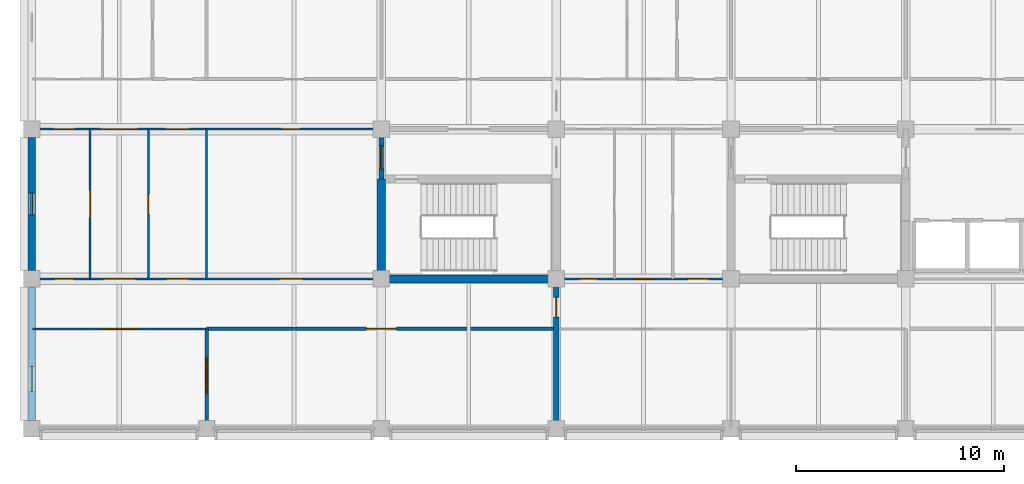
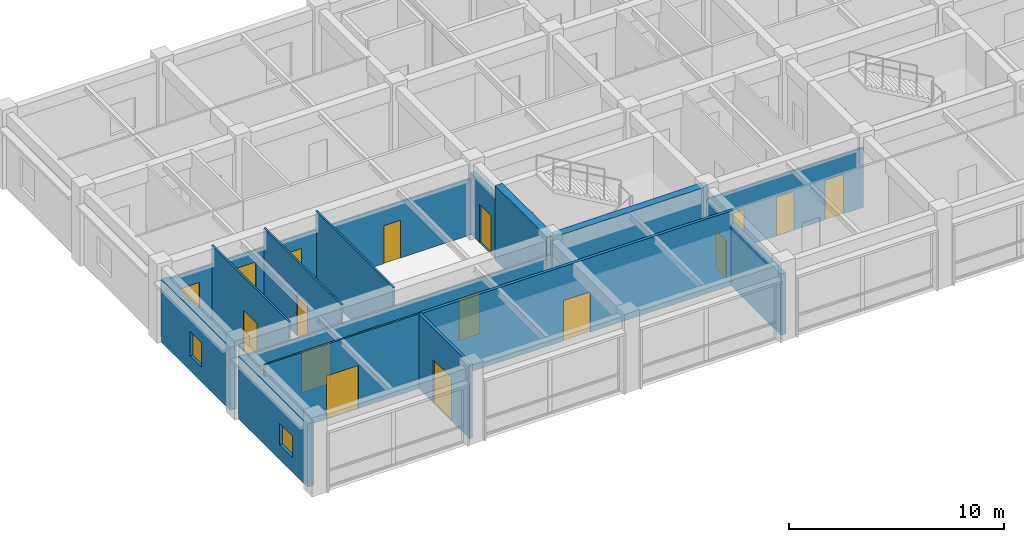
# One storey, part 14 of 30: 18 doors, 15 walls, 2 windows, 20 openings.
"""IFC4 building model written with IfcOpenShell, lengths in metres."""

from ifc_helpers import new_model, si_unit, direction, frame, frame_2d, origin, place, context, subcontext, project, spatial, rectangle, extrude, material, layer, layer_set, type_object, element, fill, save


model = new_model("IFC4")

# Units and contexts
model_context = context("Model", 3, precision=1e-05, world=origin(), true_north=direction((0.0, 1.0)))
body_context = subcontext(model_context, "Body", "Model", "MODEL_VIEW")
ifc_project = project(units=[si_unit("LENGTHUNIT", "METRE"), si_unit("AREAUNIT", "SQUARE_METRE"), si_unit("VOLUMEUNIT", "CUBIC_METRE"), si_unit("PLANEANGLEUNIT", "RADIAN"), si_unit("MASSUNIT", "GRAM", prefix="KILO")], contexts=[model_context])

# Site, building, storey
site_placement = place(None, origin())
site = spatial("IfcSite", under=ifc_project, at=site_placement, CompositionType="ELEMENT")
building_placement = place(site_placement, origin())
building = spatial("IfcBuilding", under=site, at=building_placement, Name="Chengyuan Square Courthouse", CompositionType="ELEMENT")
storey_placement = place(building_placement, frame((0.0, 0.0, 26.10009765625)))
storey = spatial("IfcBuildingStorey", under=building, at=storey_placement, Name="L06", CompositionType="ELEMENT", Elevation=26.10009765625)

# Wall, opening, window
ifc_material_1 = material(Name="Concrete C40", Category="concrete")
ifc_layer_1 = layer(ifc_material_1, 0.35009765625)
ifc_layer_set_1 = layer_set([ifc_layer_1], Name="Concrete C40")
wall_type_1 = type_object("IfcWallType", Name="WL-EW2", PredefinedType="STANDARD", material=ifc_layer_set_1)
wall_1_placement = place(storey_placement, frame((25.199951171875, 79.594970703125, 0.0), z_axis=(0.0, 0.0, 1.0), x_axis=(0.0, 1.0, 0.0)))
wall_1 = element("IfcWall", 1, at=wall_1_placement, inside=storey, type_object=wall_type_1, Name="Exterior Wall WL-L06-E357", PredefinedType="STANDARD", context=body_context, shape_type="SweptSolid", body=[
    extrude(rectangle(XDim=6.409912109375, YDim=0.35009765625, at=frame_2d((3.205078125, 0.0))), origin(), (0.0, 0.0, 1.0), 3.58984375),
])
opening_1_placement = place(wall_1_placement, frame((1.405029296875, 0.0, 0.85009765625)))
opening_1 = element("IfcOpeningElement", 2, at=opening_1_placement, cuts=wall_1, Name="Opening WN-123", PredefinedType="OPENING", context=body_context, shape_type="SweptSolid", body=[
    extrude(rectangle(XDim=1.199951171875, YDim=1.199951171875, at=frame_2d((0.60009765625, 0.60009765625))), frame((0.0, 0.18701171875, 0.0), z_axis=(0.0, -1.0, 0.0), x_axis=(1.0, 0.0, 0.0)), (0.0, 0.0, 1.0), 0.3740234375),
])
ifc_material_2 = material(Name="Thermally Broken Aluminium Triple Low-E Window", Category="aluminium")
window_type_1 = type_object("IfcWindowType", Name="WT-13", PartitioningType="SINGLE_PANEL", PredefinedType="WINDOW", material=ifc_material_2)
window_1_placement = place(opening_1_placement, origin())
window_1 = element("IfcWindow", 3, at=window_1_placement, inside=storey, type_object=window_type_1, Name="Facade Window WN-123", OverallHeight=1.199951171875, OverallWidth=1.199951171875, PartitioningType="SINGLE_PANEL", PredefinedType="WINDOW", context=body_context, shape_type="SweptSolid", body=[
    extrude(rectangle(XDim=1.199951171875, YDim=1.199951171875, at=frame_2d((0.60009765625, 0.60009765625))), frame((0.0, 0.030029296875, 0.0), z_axis=(0.0, -1.0, 0.0), x_axis=(1.0, 0.0, 0.0)), (0.0, 0.0, 1.0), 0.06005859375),
])
fill(opening_1, window_1)

wall_2_placement = place(storey_placement, frame((25.199951171875, 86.794921875, 0.0), z_axis=(0.0, 0.0, 1.0), x_axis=(0.0, 1.0, 0.0)))
wall_2 = element("IfcWall", 4, at=wall_2_placement, inside=storey, type_object=wall_type_1, Name="Exterior Wall WL-L06-E358", PredefinedType="STANDARD", context=body_context, shape_type="SweptSolid", body=[
    extrude(rectangle(XDim=6.41015625, YDim=0.35009765625, at=frame_2d((3.205078125, 0.0))), origin(), (0.0, 0.0, 1.0), 3.58984375),
])
opening_2_placement = place(wall_2_placement, frame((2.679931640625, 0.0, 0.85009765625)))
opening_2 = element("IfcOpeningElement", 5, at=opening_2_placement, cuts=wall_2, Name="Opening WN-124", PredefinedType="OPENING", context=body_context, shape_type="SweptSolid", body=[
    extrude(rectangle(XDim=1.050048828125, YDim=1.3798828125, at=frame_2d((0.52490234375, 0.68994140625))), frame((0.0, 0.18701171875, 0.0), z_axis=(0.0, -1.0, 0.0), x_axis=(1.0, 0.0, 0.0)), (0.0, 0.0, 1.0), 0.3740234375),
])
window_type_2 = type_object("IfcWindowType", Name="WT-08", PartitioningType="SINGLE_PANEL", PredefinedType="WINDOW", material=ifc_material_2)
window_2_placement = place(opening_2_placement, origin())
window_2 = element("IfcWindow", 6, at=window_2_placement, inside=storey, type_object=window_type_2, Name="Facade Window WN-124", OverallHeight=1.3798828125, OverallWidth=1.050048828125, PartitioningType="SINGLE_PANEL", PredefinedType="WINDOW", context=body_context, shape_type="SweptSolid", body=[
    extrude(rectangle(XDim=1.050048828125, YDim=1.3798828125, at=frame_2d((0.52490234375, 0.68994140625))), frame((0.0, 0.030029296875, 0.0), z_axis=(0.0, -1.0, 0.0), x_axis=(1.0, 0.0, 0.0)), (0.0, 0.0, 1.0), 0.06005859375),
])
fill(opening_2, window_2)

# Wall, opening, door
ifc_layer_2 = layer(ifc_material_1, 0.25)
ifc_layer_set_2 = layer_set([ifc_layer_2], Name="Concrete C40")
wall_type_2 = type_object("IfcWallType", Name="WL-FW1", PredefinedType="STANDARD", material=ifc_layer_set_2)
wall_3_placement = place(storey_placement, frame((42.0, 91.199951171875, 0.0), z_axis=(0.0, 0.0, 1.0), x_axis=(0.0, 1.0, 0.0)))
wall_3 = element("IfcWall", 7, at=wall_3_placement, inside=storey, type_object=wall_type_2, Name="Interior Wall WL-L06-I2489", PredefinedType="STANDARD", context=body_context, shape_type="SweptSolid", body=[
    extrude(rectangle(XDim=2.400146484375, YDim=0.25, at=frame_2d((1.2001953125, 0.0))), origin(), (0.0, 0.0, 1.0), 3.489990234375),
])
opening_3_placement = place(wall_3_placement, frame((0.489990234375, 0.0, 0.0)))
opening_3 = element("IfcOpeningElement", 8, at=opening_3_placement, cuts=wall_3, Name="Opening DR-2130", PredefinedType="OPENING", context=body_context, shape_type="SweptSolid", body=[
    extrude(rectangle(XDim=1.10009765625, YDim=2.199951171875, at=frame_2d((0.550048828125, 1.10009765625))), frame((0.0, 0.136962890625, 0.0), z_axis=(0.0, -1.0, 0.0), x_axis=(1.0, 0.0, 0.0)), (0.0, 0.0, 1.0), 0.27392578125),
])
ifc_material_3 = material(Name="Steel Q235B Fire Door", Category="steel")
door_type_1 = type_object("IfcDoorType", Name="DT-10", OperationType="NOTDEFINED", PredefinedType="DOOR", material=ifc_material_3)
door_1_placement = place(opening_3_placement, origin())
door_1 = element("IfcDoor", 9, at=door_1_placement, inside=storey, type_object=door_type_1, Name="Interior Door DR-2130", OperationType="SINGLE_SWING_LEFT", OverallHeight=2.199951171875, OverallWidth=1.10009765625, PredefinedType="DOOR", context=body_context, shape_type="SweptSolid", body=[
    extrude(rectangle(XDim=1.10009765625, YDim=2.199951171875, at=frame_2d((0.550048828125, 1.10009765625))), frame((0.0, 0.02490234375, 0.0), z_axis=(0.0, -1.0, 0.0), x_axis=(1.0, 0.0, 0.0)), (0.0, 0.0, 1.0), 0.050048828125),
])
fill(opening_3, door_1)

wall_4_placement = place(storey_placement, frame((50.39990234375, 79.239990234375, 0.0), z_axis=(0.0, 0.0, 1.0), x_axis=(0.0, 1.0, 0.0)))
wall_4 = element("IfcWall", 10, at=wall_4_placement, inside=storey, type_object=wall_type_2, Name="Interior Wall WL-L06-I2497", PredefinedType="STANDARD", context=body_context, shape_type="SweptSolid", body=[
    extrude(rectangle(XDim=7.159912109375, YDim=0.25, at=frame_2d((3.580078125, 0.0))), origin(), (0.0, 0.0, 1.0), 3.489990234375),
])
opening_4_placement = place(wall_4_placement, frame((5.324951171875, 0.0, 0.0)))
opening_4 = element("IfcOpeningElement", 11, at=opening_4_placement, cuts=wall_4, Name="Opening DR-2288", PredefinedType="OPENING", context=body_context, shape_type="SweptSolid", body=[
    extrude(rectangle(XDim=0.949951171875, YDim=2.14990234375, at=frame_2d((0.47509765625, 1.074951171875))), frame((0.0, 0.136962890625, 0.0), z_axis=(0.0, -1.0, 0.0), x_axis=(1.0, 0.0, 0.0)), (0.0, 0.0, 1.0), 0.27392578125),
])
door_type_2 = type_object("IfcDoorType", Name="DT-12", OperationType="NOTDEFINED", PredefinedType="DOOR", material=ifc_material_3)
door_2_placement = place(opening_4_placement, origin())
door_2 = element("IfcDoor", 12, at=door_2_placement, inside=storey, type_object=door_type_2, Name="Interior Door DR-2288", OperationType="SINGLE_SWING_LEFT", OverallHeight=2.14990234375, OverallWidth=0.949951171875, PredefinedType="DOOR", context=body_context, shape_type="SweptSolid", body=[
    extrude(rectangle(XDim=0.949951171875, YDim=2.14990234375, at=frame_2d((0.47509765625, 1.074951171875))), frame((0.0, 0.02490234375, 0.0), z_axis=(0.0, -1.0, 0.0), x_axis=(1.0, 0.0, 0.0)), (0.0, 0.0, 1.0), 0.050048828125),
])
fill(opening_4, door_2)

ifc_material_4 = material(Name="Acoustic Timber-Lined Gypsum Partition", Category="wood")
ifc_layer_3 = layer(ifc_material_4, 0.159912109375)
ifc_layer_set_3 = layer_set([ifc_layer_3], Name="Acoustic Timber-Lined Gypsum Partition")
wall_type_3 = type_object("IfcWallType", Name="WL-PT2", PredefinedType="STANDARD", material=ifc_layer_set_3)
wall_5_placement = place(storey_placement, frame((33.60009765625, 84.0, 0.0), z_axis=(0.0, 0.0, 1.0), x_axis=(1.0, 0.0, 0.0)))
wall_5 = element("IfcWall", 13, at=wall_5_placement, inside=storey, type_object=wall_type_3, Name="Interior Wall WL-L06-I2360", PredefinedType="STANDARD", context=body_context, shape_type="SweptSolid", body=[
    extrude(rectangle(XDim=16.7998046875, YDim=0.159912109375, at=frame_2d((8.39990234375, 0.0))), origin(), (0.0, 0.0, 1.0), 4.239990234375),
])
opening_5_placement = place(wall_5_placement, frame((7.675048828125, 0.0, 0.0)))
opening_5 = element("IfcOpeningElement", 14, at=opening_5_placement, cuts=wall_5, Name="Opening DR-2290", PredefinedType="OPENING", context=body_context, shape_type="SweptSolid", body=[
    extrude(rectangle(XDim=1.449951171875, YDim=2.300048828125, at=frame_2d((0.72509765625, 1.14990234375))), frame((0.0, 0.092041015625, 0.0), z_axis=(0.0, -1.0, 0.0), x_axis=(1.0, 0.0, 0.0)), (0.0, 0.0, 1.0), 0.183837890625),
])
ifc_material_5 = material(Name="Acoustic Larch Veneer Double Door")
door_type_3 = type_object("IfcDoorType", Name="DT-25", OperationType="DOUBLE_DOOR_SINGLE_SWING", PredefinedType="DOOR", material=ifc_material_5)
door_3_placement = place(opening_5_placement, frame((1.449951171875, 0.0, 0.0), z_axis=(0.0, 0.0, 1.0), x_axis=(-1.0, 0.0, 0.0)))
door_3 = element("IfcDoor", 15, at=door_3_placement, inside=storey, type_object=door_type_3, Name="Interior Door DR-2290", OperationType="DOUBLE_DOOR_SINGLE_SWING", OverallHeight=2.300048828125, OverallWidth=1.449951171875, PredefinedType="DOOR", context=body_context, shape_type="SweptSolid", body=[
    extrude(rectangle(XDim=1.449951171875, YDim=2.300048828125, at=frame_2d((0.72509765625, 1.14990234375))), frame((0.0, 0.02490234375, 0.0), z_axis=(0.0, -1.0, 0.0), x_axis=(1.0, 0.0, 0.0)), (0.0, 0.0, 1.0), 0.050048828125),
])
fill(opening_5, door_3)

wall_6_placement = place(storey_placement, frame((33.60009765625, 79.239990234375, 0.0), z_axis=(0.0, 0.0, 1.0), x_axis=(0.0, 1.0, 0.0)))
wall_6 = element("IfcWall", 16, at=wall_6_placement, inside=storey, type_object=wall_type_3, Name="Interior Wall WL-L06-I2484", PredefinedType="STANDARD", context=body_context, shape_type="SweptSolid", body=[
    extrude(rectangle(XDim=4.760009765625, YDim=0.159912109375, at=frame_2d((2.3798828125, 0.0))), origin(), (0.0, 0.0, 1.0), 4.239990234375),
])
opening_6_placement = place(wall_6_placement, frame((1.669921875, 0.0, 0.0)))
opening_6 = element("IfcOpeningElement", 17, at=opening_6_placement, cuts=wall_6, Name="Opening DR-2301", PredefinedType="OPENING", context=body_context, shape_type="SweptSolid", body=[
    extrude(rectangle(XDim=1.699951171875, YDim=2.449951171875, at=frame_2d((0.85009765625, 1.22509765625))), frame((0.0, 0.092041015625, 0.0), z_axis=(0.0, -1.0, 0.0), x_axis=(1.0, 0.0, 0.0)), (0.0, 0.0, 1.0), 0.183837890625),
])
door_type_4 = type_object("IfcDoorType", Name="DT-24", OperationType="DOUBLE_DOOR_SINGLE_SWING", PredefinedType="DOOR", material=ifc_material_5)
door_4_placement = place(opening_6_placement, frame((1.699951171875, 0.0, 0.0), z_axis=(0.0, 0.0, 1.0), x_axis=(-1.0, 0.0, 0.0)))
door_4 = element("IfcDoor", 18, at=door_4_placement, inside=storey, type_object=door_type_4, Name="Interior Door DR-2301", OperationType="DOUBLE_DOOR_SINGLE_SWING", OverallHeight=2.449951171875, OverallWidth=1.699951171875, PredefinedType="DOOR", context=body_context, shape_type="SweptSolid", body=[
    extrude(rectangle(XDim=1.699951171875, YDim=2.449951171875, at=frame_2d((0.85009765625, 1.22509765625))), frame((0.0, 0.02490234375, 0.0), z_axis=(0.0, -1.0, 0.0), x_axis=(1.0, 0.0, 0.0)), (0.0, 0.0, 1.0), 0.050048828125),
])
fill(opening_6, door_4)

ifc_material_6 = material(Name="Gypsum Plasterboard Acoustic Stud Partition")
ifc_layer_4 = layer(ifc_material_6, 0.10009765625)
ifc_layer_set_4 = layer_set([ifc_layer_4], Name="Gypsum Plasterboard Acoustic Stud Partition")
wall_type_4 = type_object("IfcWallType", Name="WL-PT6", PredefinedType="STANDARD", material=ifc_layer_set_4)
wall_7_placement = place(storey_placement, frame((25.239990234375, 84.0, 0.0), z_axis=(0.0, 0.0, 1.0), x_axis=(1.0, 0.0, 0.0)))
wall_7 = element("IfcWall", 19, at=wall_7_placement, inside=storey, type_object=wall_type_4, Name="Interior Wall WL-L06-I2359", PredefinedType="STANDARD", context=body_context, shape_type="SweptSolid", body=[
    extrude(rectangle(XDim=8.360107421875, YDim=0.10009765625, at=frame_2d((4.18017578125, 0.0))), origin(), (0.0, 0.0, 1.0), 4.239990234375),
])
opening_7_placement = place(wall_7_placement, frame((3.330078125, 0.0, 0.0)))
opening_7 = element("IfcOpeningElement", 20, at=opening_7_placement, cuts=wall_7, Name="Opening DR-2289", PredefinedType="OPENING", context=body_context, shape_type="SweptSolid", body=[
    extrude(rectangle(XDim=1.699951171875, YDim=2.449951171875, at=frame_2d((0.85009765625, 1.22509765625))), frame((0.0, 0.06201171875, 0.0), z_axis=(0.0, -1.0, 0.0), x_axis=(1.0, 0.0, 0.0)), (0.0, 0.0, 1.0), 0.1240234375),
])
door_5_placement = place(opening_7_placement, frame((1.699951171875, 0.0, 0.0), z_axis=(0.0, 0.0, 1.0), x_axis=(-1.0, 0.0, 0.0)))
door_5 = element("IfcDoor", 21, at=door_5_placement, inside=storey, type_object=door_type_4, Name="Interior Door DR-2289", OperationType="DOUBLE_DOOR_SINGLE_SWING", OverallHeight=2.449951171875, OverallWidth=1.699951171875, PredefinedType="DOOR", context=body_context, shape_type="SweptSolid", body=[
    extrude(rectangle(XDim=1.699951171875, YDim=2.449951171875, at=frame_2d((0.85009765625, 1.22509765625))), frame((0.0, 0.02490234375, 0.0), z_axis=(0.0, -1.0, 0.0), x_axis=(1.0, 0.0, 0.0)), (0.0, 0.0, 1.0), 0.050048828125),
])
fill(opening_7, door_5)

# Wall, openings, doors
wall_8_placement = place(storey_placement, frame((25.239990234375, 86.39990234375, 0.0), z_axis=(0.0, 0.0, 1.0), x_axis=(1.0, 0.0, 0.0)))
wall_8 = element("IfcWall", 22, at=wall_8_placement, inside=storey, type_object=wall_type_4, Name="Interior Wall WL-L06-I2366", PredefinedType="STANDARD", context=body_context, shape_type="SweptSolid", body=[
    extrude(rectangle(XDim=16.760009765625, YDim=0.10009765625, at=frame_2d((8.3798828125, 0.0))), origin(), (0.0, 0.0, 1.0), 3.18994140625),
])
opening_8_placement = place(wall_8_placement, frame((1.050048828125, 0.0, 0.0)))
opening_8 = element("IfcOpeningElement", 23, at=opening_8_placement, cuts=wall_8, Name="Opening DR-2250", PredefinedType="OPENING", context=body_context, shape_type="SweptSolid", body=[
    extrude(rectangle(XDim=0.93994140625, YDim=2.300048828125, at=frame_2d((0.469970703125, 1.14990234375))), frame((0.0, 0.06201171875, 0.0), z_axis=(0.0, -1.0, 0.0), x_axis=(1.0, 0.0, 0.0)), (0.0, 0.0, 1.0), 0.1240234375),
])
opening_9_placement = place(wall_8_placement, frame((3.385009765625, 0.0, 0.0)))
opening_9 = element("IfcOpeningElement", 24, at=opening_9_placement, cuts=wall_8, Name="Opening DR-2252", PredefinedType="OPENING", context=body_context, shape_type="SweptSolid", body=[
    extrude(rectangle(XDim=1.550048828125, YDim=2.35009765625, at=frame_2d((0.77490234375, 1.175048828125))), frame((0.0, 0.06201171875, 0.0), z_axis=(0.0, -1.0, 0.0), x_axis=(1.0, 0.0, 0.0)), (0.0, 0.0, 1.0), 0.1240234375),
])
opening_10_placement = place(wall_8_placement, frame((6.429931640625, 0.0, 0.0)))
opening_10 = element("IfcOpeningElement", 25, at=opening_10_placement, cuts=wall_8, Name="Opening DR-2253", PredefinedType="OPENING", context=body_context, shape_type="SweptSolid", body=[
    extrude(rectangle(XDim=1.06005859375, YDim=2.39990234375, at=frame_2d((0.530029296875, 1.199951171875))), frame((0.0, 0.06201171875, 0.0), z_axis=(0.0, -1.0, 0.0), x_axis=(1.0, 0.0, 0.0)), (0.0, 0.0, 1.0), 0.1240234375),
])
opening_11_placement = place(wall_8_placement, frame((11.830078125, 0.0, 0.0)))
opening_11 = element("IfcOpeningElement", 26, at=opening_11_placement, cuts=wall_8, Name="Opening DR-2254", PredefinedType="OPENING", context=body_context, shape_type="SweptSolid", body=[
    extrude(rectangle(XDim=1.139892578125, YDim=2.39990234375, at=frame_2d((0.56982421875, 1.199951171875))), frame((0.0, 0.06201171875, 0.0), z_axis=(0.0, -1.0, 0.0), x_axis=(1.0, 0.0, 0.0)), (0.0, 0.0, 1.0), 0.1240234375),
])
door_type_5 = type_object("IfcDoorType", Name="DT-23", OperationType="DOUBLE_DOOR_SINGLE_SWING", PredefinedType="DOOR", material=ifc_material_5)
door_6_placement = place(opening_9_placement, frame((1.550048828125, 0.0, 0.0), z_axis=(0.0, 0.0, 1.0), x_axis=(-1.0, 0.0, 0.0)))
door_6 = element("IfcDoor", 27, at=door_6_placement, inside=storey, type_object=door_type_5, Name="Interior Door DR-2252", OperationType="DOUBLE_DOOR_SINGLE_SWING", OverallHeight=2.35009765625, OverallWidth=1.550048828125, PredefinedType="DOOR", context=body_context, shape_type="SweptSolid", body=[
    extrude(rectangle(XDim=1.550048828125, YDim=2.35009765625, at=frame_2d((0.77490234375, 1.175048828125))), frame((0.0, 0.02490234375, 0.0), z_axis=(0.0, -1.0, 0.0), x_axis=(1.0, 0.0, 0.0)), (0.0, 0.0, 1.0), 0.050048828125),
])
fill(opening_9, door_6)
ifc_material_7 = material(Name="Acoustic Solid-Core Timber Door", Category="wood")
door_type_6 = type_object("IfcDoorType", Name="DT-39", OperationType="NOTDEFINED", PredefinedType="DOOR", material=ifc_material_7)
door_7_placement = place(opening_8_placement, origin())
door_7 = element("IfcDoor", 28, at=door_7_placement, inside=storey, type_object=door_type_6, Name="Interior Door DR-2250", OperationType="SINGLE_SWING_RIGHT", OverallHeight=2.300048828125, OverallWidth=0.93994140625, PredefinedType="DOOR", context=body_context, shape_type="SweptSolid", body=[
    extrude(rectangle(XDim=0.93994140625, YDim=2.300048828125, at=frame_2d((0.469970703125, 1.14990234375))), frame((0.0, 0.02490234375, 0.0), z_axis=(0.0, -1.0, 0.0), x_axis=(1.0, 0.0, 0.0)), (0.0, 0.0, 1.0), 0.050048828125),
])
fill(opening_8, door_7)
door_type_7 = type_object("IfcDoorType", Name="DT-42", OperationType="NOTDEFINED", PredefinedType="DOOR", material=ifc_material_7)
door_8_placement = place(opening_10_placement, origin())
door_8 = element("IfcDoor", 29, at=door_8_placement, inside=storey, type_object=door_type_7, Name="Interior Door DR-2253", OperationType="SINGLE_SWING_RIGHT", OverallHeight=2.39990234375, OverallWidth=1.06005859375, PredefinedType="DOOR", context=body_context, shape_type="SweptSolid", body=[
    extrude(rectangle(XDim=1.06005859375, YDim=2.39990234375, at=frame_2d((0.530029296875, 1.199951171875))), frame((0.0, 0.02490234375, 0.0), z_axis=(0.0, -1.0, 0.0), x_axis=(1.0, 0.0, 0.0)), (0.0, 0.0, 1.0), 0.050048828125),
])
fill(opening_10, door_8)
door_type_8 = type_object("IfcDoorType", Name="DT-43", OperationType="NOTDEFINED", PredefinedType="DOOR", material=ifc_material_7)
door_9_placement = place(opening_11_placement, origin())
door_9 = element("IfcDoor", 30, at=door_9_placement, inside=storey, type_object=door_type_8, Name="Interior Door DR-2254", OperationType="SINGLE_SWING_LEFT", OverallHeight=2.39990234375, OverallWidth=1.139892578125, PredefinedType="DOOR", context=body_context, shape_type="SweptSolid", body=[
    extrude(rectangle(XDim=1.139892578125, YDim=2.39990234375, at=frame_2d((0.56982421875, 1.199951171875))), frame((0.0, 0.02490234375, 0.0), z_axis=(0.0, -1.0, 0.0), x_axis=(1.0, 0.0, 0.0)), (0.0, 0.0, 1.0), 0.050048828125),
])
fill(opening_11, door_9)

wall_9_placement = place(storey_placement, frame((50.39990234375, 86.39990234375, 0.0), z_axis=(0.0, 0.0, 1.0), x_axis=(1.0, 0.0, 0.0)))
wall_9 = element("IfcWall", 31, at=wall_9_placement, inside=storey, type_object=wall_type_4, Name="Interior Wall WL-L06-I2368", PredefinedType="STANDARD", context=body_context, shape_type="SweptSolid", body=[
    extrude(rectangle(XDim=8.400146484375, YDim=0.10009765625, at=frame_2d((4.2001953125, 0.0))), origin(), (0.0, 0.0, 1.0), 3.389892578125),
])
opening_12_placement = place(wall_9_placement, frame((1.1298828125, 0.0, 0.0)))
opening_12 = element("IfcOpeningElement", 32, at=opening_12_placement, cuts=wall_9, Name="Opening DR-2256", PredefinedType="OPENING", context=body_context, shape_type="SweptSolid", body=[
    extrude(rectangle(XDim=0.860107421875, YDim=2.10009765625, at=frame_2d((0.43017578125, 1.050048828125))), frame((0.0, 0.06201171875, 0.0), z_axis=(0.0, -1.0, 0.0), x_axis=(1.0, 0.0, 0.0)), (0.0, 0.0, 1.0), 0.1240234375),
])
opening_13_placement = place(wall_9_placement, frame((3.719970703125, 0.0, 0.0)))
opening_13 = element("IfcOpeningElement", 33, at=opening_13_placement, cuts=wall_9, Name="Opening DR-2258", PredefinedType="OPENING", context=body_context, shape_type="SweptSolid", body=[
    extrude(rectangle(XDim=0.9599609375, YDim=2.199951171875, at=frame_2d((0.47998046875, 1.10009765625))), frame((0.0, 0.06201171875, 0.0), z_axis=(0.0, -1.0, 0.0), x_axis=(1.0, 0.0, 0.0)), (0.0, 0.0, 1.0), 0.1240234375),
])
opening_14_placement = place(wall_9_placement, frame((6.340087890625, 0.0, 0.0)))
opening_14 = element("IfcOpeningElement", 34, at=opening_14_placement, cuts=wall_9, Name="Opening DR-2259", PredefinedType="OPENING", context=body_context, shape_type="SweptSolid", body=[
    extrude(rectangle(XDim=1.0, YDim=2.25, at=frame_2d((0.5, 1.125))), frame((0.0, 0.06201171875, 0.0), z_axis=(0.0, -1.0, 0.0), x_axis=(1.0, 0.0, 0.0)), (0.0, 0.0, 1.0), 0.1240234375),
])
door_type_9 = type_object("IfcDoorType", Name="DT-28", OperationType="NOTDEFINED", PredefinedType="DOOR", material=ifc_material_7)
door_10_placement = place(opening_12_placement, origin())
door_10 = element("IfcDoor", 35, at=door_10_placement, inside=storey, type_object=door_type_9, Name="Interior Door DR-2256", OperationType="SINGLE_SWING_LEFT", OverallHeight=2.10009765625, OverallWidth=0.860107421875, PredefinedType="DOOR", context=body_context, shape_type="SweptSolid", body=[
    extrude(rectangle(XDim=0.860107421875, YDim=2.10009765625, at=frame_2d((0.43017578125, 1.050048828125))), frame((0.0, 0.02490234375, 0.0), z_axis=(0.0, -1.0, 0.0), x_axis=(1.0, 0.0, 0.0)), (0.0, 0.0, 1.0), 0.050048828125),
])
fill(opening_12, door_10)
door_type_10 = type_object("IfcDoorType", Name="DT-30", OperationType="NOTDEFINED", PredefinedType="DOOR", material=ifc_material_7)
door_11_placement = place(opening_13_placement, origin())
door_11 = element("IfcDoor", 36, at=door_11_placement, inside=storey, type_object=door_type_10, Name="Interior Door DR-2258", OperationType="SINGLE_SWING_LEFT", OverallHeight=2.199951171875, OverallWidth=0.9599609375, PredefinedType="DOOR", context=body_context, shape_type="SweptSolid", body=[
    extrude(rectangle(XDim=0.9599609375, YDim=2.199951171875, at=frame_2d((0.47998046875, 1.10009765625))), frame((0.0, 0.02490234375, 0.0), z_axis=(0.0, -1.0, 0.0), x_axis=(1.0, 0.0, 0.0)), (0.0, 0.0, 1.0), 0.050048828125),
])
fill(opening_13, door_11)
door_type_11 = type_object("IfcDoorType", Name="DT-31", OperationType="NOTDEFINED", PredefinedType="DOOR", material=ifc_material_7)
door_12_placement = place(opening_14_placement, origin())
door_12 = element("IfcDoor", 37, at=door_12_placement, inside=storey, type_object=door_type_11, Name="Interior Door DR-2259", OperationType="SINGLE_SWING_RIGHT", OverallHeight=2.25, OverallWidth=1.0, PredefinedType="DOOR", context=body_context, shape_type="SweptSolid", body=[
    extrude(rectangle(XDim=1.0, YDim=2.25, at=frame_2d((0.5, 1.125))), frame((0.0, 0.02490234375, 0.0), z_axis=(0.0, -1.0, 0.0), x_axis=(1.0, 0.0, 0.0)), (0.0, 0.0, 1.0), 0.050048828125),
])
fill(opening_14, door_12)

wall_10_placement = place(storey_placement, frame((25.239990234375, 93.60009765625, 0.0), z_axis=(0.0, 0.0, 1.0), x_axis=(1.0, 0.0, 0.0)))
wall_10 = element("IfcWall", 38, at=wall_10_placement, inside=storey, type_object=wall_type_4, Name="Interior Wall WL-L06-I2391", PredefinedType="STANDARD", context=body_context, shape_type="SweptSolid", body=[
    extrude(rectangle(XDim=16.760009765625, YDim=0.10009765625, at=frame_2d((8.3798828125, 0.0))), origin(), (0.0, 0.0, 1.0), 3.18994140625),
])
opening_15_placement = place(wall_10_placement, frame((1.010009765625, 0.0, 0.0)))
opening_15 = element("IfcOpeningElement", 39, at=opening_15_placement, cuts=wall_10, Name="Opening DR-2201", PredefinedType="OPENING", context=body_context, shape_type="SweptSolid", body=[
    extrude(rectangle(XDim=1.02001953125, YDim=2.39990234375, at=frame_2d((0.510009765625, 1.199951171875))), frame((0.0, 0.06201171875, 0.0), z_axis=(0.0, -1.0, 0.0), x_axis=(1.0, 0.0, 0.0)), (0.0, 0.0, 1.0), 0.1240234375),
])
opening_16_placement = place(wall_10_placement, frame((3.260009765625, 0.0, 0.0)))
opening_16 = element("IfcOpeningElement", 40, at=opening_16_placement, cuts=wall_10, Name="Opening DR-2202", PredefinedType="OPENING", context=body_context, shape_type="SweptSolid", body=[
    extrude(rectangle(XDim=1.800048828125, YDim=2.5, at=frame_2d((0.89990234375, 1.25))), frame((0.0, 0.06201171875, 0.0), z_axis=(0.0, -1.0, 0.0), x_axis=(1.0, 0.0, 0.0)), (0.0, 0.0, 1.0), 0.1240234375),
])
opening_17_placement = place(wall_10_placement, frame((6.389892578125, 0.0, 0.0)))
opening_17 = element("IfcOpeningElement", 41, at=opening_17_placement, cuts=wall_10, Name="Opening DR-2203", PredefinedType="OPENING", context=body_context, shape_type="SweptSolid", body=[
    extrude(rectangle(XDim=1.139892578125, YDim=2.39990234375, at=frame_2d((0.56982421875, 1.199951171875))), frame((0.0, 0.06201171875, 0.0), z_axis=(0.0, -1.0, 0.0), x_axis=(1.0, 0.0, 0.0)), (0.0, 0.0, 1.0), 0.1240234375),
])
opening_18_placement = place(wall_10_placement, frame((11.949951171875, 0.0, 0.0)))
opening_18 = element("IfcOpeningElement", 42, at=opening_18_placement, cuts=wall_10, Name="Opening DR-2204", PredefinedType="OPENING", context=body_context, shape_type="SweptSolid", body=[
    extrude(rectangle(XDim=0.89990234375, YDim=2.14990234375, at=frame_2d((0.449951171875, 1.074951171875))), frame((0.0, 0.06201171875, 0.0), z_axis=(0.0, -1.0, 0.0), x_axis=(1.0, 0.0, 0.0)), (0.0, 0.0, 1.0), 0.1240234375),
])
door_type_12 = type_object("IfcDoorType", Name="DT-21", OperationType="DOUBLE_DOOR_SINGLE_SWING", PredefinedType="DOOR", material=ifc_material_5)
door_13_placement = place(opening_16_placement, frame((1.800048828125, 0.0, 0.0), z_axis=(0.0, 0.0, 1.0), x_axis=(-1.0, 0.0, 0.0)))
door_13 = element("IfcDoor", 43, at=door_13_placement, inside=storey, type_object=door_type_12, Name="Interior Door DR-2202", OperationType="DOUBLE_DOOR_SINGLE_SWING", OverallHeight=2.5, OverallWidth=1.800048828125, PredefinedType="DOOR", context=body_context, shape_type="SweptSolid", body=[
    extrude(rectangle(XDim=1.800048828125, YDim=2.5, at=frame_2d((0.89990234375, 1.25))), frame((0.0, 0.02490234375, 0.0), z_axis=(0.0, -1.0, 0.0), x_axis=(1.0, 0.0, 0.0)), (0.0, 0.0, 1.0), 0.050048828125),
])
fill(opening_16, door_13)
door_type_13 = type_object("IfcDoorType", Name="DT-27", OperationType="NOTDEFINED", PredefinedType="DOOR", material=ifc_material_7)
door_14_placement = place(opening_18_placement, origin())
door_14 = element("IfcDoor", 44, at=door_14_placement, inside=storey, type_object=door_type_13, Name="Interior Door DR-2204", OperationType="SINGLE_SWING_LEFT", OverallHeight=2.14990234375, OverallWidth=0.89990234375, PredefinedType="DOOR", context=body_context, shape_type="SweptSolid", body=[
    extrude(rectangle(XDim=0.89990234375, YDim=2.14990234375, at=frame_2d((0.449951171875, 1.074951171875))), frame((0.0, 0.02490234375, 0.0), z_axis=(0.0, -1.0, 0.0), x_axis=(1.0, 0.0, 0.0)), (0.0, 0.0, 1.0), 0.050048828125),
])
fill(opening_18, door_14)
door_type_14 = type_object("IfcDoorType", Name="DT-41", OperationType="NOTDEFINED", PredefinedType="DOOR", material=ifc_material_7)
door_15_placement = place(opening_15_placement, origin())
door_15 = element("IfcDoor", 45, at=door_15_placement, inside=storey, type_object=door_type_14, Name="Interior Door DR-2201", OperationType="SINGLE_SWING_LEFT", OverallHeight=2.39990234375, OverallWidth=1.02001953125, PredefinedType="DOOR", context=body_context, shape_type="SweptSolid", body=[
    extrude(rectangle(XDim=1.02001953125, YDim=2.39990234375, at=frame_2d((0.510009765625, 1.199951171875))), frame((0.0, 0.02490234375, 0.0), z_axis=(0.0, -1.0, 0.0), x_axis=(1.0, 0.0, 0.0)), (0.0, 0.0, 1.0), 0.050048828125),
])
fill(opening_15, door_15)
door_16_placement = place(opening_17_placement, origin())
door_16 = element("IfcDoor", 46, at=door_16_placement, inside=storey, type_object=door_type_8, Name="Interior Door DR-2203", OperationType="SINGLE_SWING_RIGHT", OverallHeight=2.39990234375, OverallWidth=1.139892578125, PredefinedType="DOOR", context=body_context, shape_type="SweptSolid", body=[
    extrude(rectangle(XDim=1.139892578125, YDim=2.39990234375, at=frame_2d((0.56982421875, 1.199951171875))), frame((0.0, 0.02490234375, 0.0), z_axis=(0.0, -1.0, 0.0), x_axis=(1.0, 0.0, 0.0)), (0.0, 0.0, 1.0), 0.050048828125),
])
fill(opening_17, door_16)

# Wall, opening, door
wall_11_placement = place(storey_placement, frame((28.0, 86.39990234375, 0.0), z_axis=(0.0, 0.0, 1.0), x_axis=(0.0, 1.0, 0.0)))
wall_11 = element("IfcWall", 47, at=wall_11_placement, inside=storey, type_object=wall_type_4, Name="Interior Wall WL-L06-I2480", PredefinedType="STANDARD", context=body_context, shape_type="SweptSolid", body=[
    extrude(rectangle(XDim=7.2001953125, YDim=0.10009765625, at=frame_2d((3.60009765625, 0.0))), origin(), (0.0, 0.0, 1.0), 4.239990234375),
])
opening_19_placement = place(wall_11_placement, frame((2.9599609375, 0.0, 0.0)))
opening_19 = element("IfcOpeningElement", 48, at=opening_19_placement, cuts=wall_11, Name="Opening DR-2249", PredefinedType="OPENING", context=body_context, shape_type="SweptSolid", body=[
    extrude(rectangle(XDim=1.280029296875, YDim=2.35009765625, at=frame_2d((0.64013671875, 1.175048828125))), frame((0.0, 0.06201171875, 0.0), z_axis=(0.0, -1.0, 0.0), x_axis=(1.0, 0.0, 0.0)), (0.0, 0.0, 1.0), 0.1240234375),
])
door_type_15 = type_object("IfcDoorType", Name="DT-38", OperationType="NOTDEFINED", PredefinedType="DOOR", material=ifc_material_7)
door_17_placement = place(opening_19_placement, origin())
door_17 = element("IfcDoor", 49, at=door_17_placement, inside=storey, type_object=door_type_15, Name="Interior Door DR-2249", OperationType="SINGLE_SWING_LEFT", OverallHeight=2.35009765625, OverallWidth=1.280029296875, PredefinedType="DOOR", context=body_context, shape_type="SweptSolid", body=[
    extrude(rectangle(XDim=1.280029296875, YDim=2.35009765625, at=frame_2d((0.64013671875, 1.175048828125))), frame((0.0, 0.02490234375, 0.0), z_axis=(0.0, -1.0, 0.0), x_axis=(1.0, 0.0, 0.0)), (0.0, 0.0, 1.0), 0.050048828125),
])
fill(opening_19, door_17)

wall_12_placement = place(storey_placement, frame((30.800048828125, 86.39990234375, 0.0), z_axis=(0.0, 0.0, 1.0), x_axis=(0.0, 1.0, 0.0)))
wall_12 = element("IfcWall", 50, at=wall_12_placement, inside=storey, type_object=wall_type_4, Name="Interior Wall WL-L06-I2482", PredefinedType="STANDARD", context=body_context, shape_type="SweptSolid", body=[
    extrude(rectangle(XDim=7.2001953125, YDim=0.10009765625, at=frame_2d((3.60009765625, 0.0))), origin(), (0.0, 0.0, 1.0), 4.239990234375),
])
opening_20_placement = place(wall_12_placement, frame((3.110107421875, 0.0, 0.0)))
opening_20 = element("IfcOpeningElement", 51, at=opening_20_placement, cuts=wall_12, Name="Opening DR-2251", PredefinedType="OPENING", context=body_context, shape_type="SweptSolid", body=[
    extrude(rectangle(XDim=0.97998046875, YDim=2.35009765625, at=frame_2d((0.489990234375, 1.175048828125))), frame((0.0, 0.06201171875, 0.0), z_axis=(0.0, -1.0, 0.0), x_axis=(1.0, 0.0, 0.0)), (0.0, 0.0, 1.0), 0.1240234375),
])
door_type_16 = type_object("IfcDoorType", Name="DT-40", OperationType="NOTDEFINED", PredefinedType="DOOR", material=ifc_material_7)
door_18_placement = place(opening_20_placement, origin())
door_18 = element("IfcDoor", 52, at=door_18_placement, inside=storey, type_object=door_type_16, Name="Interior Door DR-2251", OperationType="SINGLE_SWING_LEFT", OverallHeight=2.35009765625, OverallWidth=0.97998046875, PredefinedType="DOOR", context=body_context, shape_type="SweptSolid", body=[
    extrude(rectangle(XDim=0.97998046875, YDim=2.35009765625, at=frame_2d((0.489990234375, 1.175048828125))), frame((0.0, 0.02490234375, 0.0), z_axis=(0.0, -1.0, 0.0), x_axis=(1.0, 0.0, 0.0)), (0.0, 0.0, 1.0), 0.050048828125),
])
fill(opening_20, door_18)

# Walls
wall_13_placement = place(storey_placement, frame((33.60009765625, 86.39990234375, 0.0), z_axis=(0.0, 0.0, 1.0), x_axis=(0.0, 1.0, 0.0)))
element("IfcWall", 53, at=wall_13_placement, inside=storey, type_object=wall_type_4, Name="Interior Wall WL-L06-I2485", PredefinedType="STANDARD", context=body_context, shape_type="SweptSolid", body=[
    extrude(rectangle(XDim=7.2001953125, YDim=0.10009765625, at=frame_2d((3.60009765625, 0.0))), origin(), (0.0, 0.0, 1.0), 4.239990234375),
])
ifc_material_8 = material(Name="Concrete C50", Category="concrete")
ifc_layer_5 = layer(ifc_material_8, 0.39990234375)
ifc_layer_set_5 = layer_set([ifc_layer_5], Name="Concrete C50")
wall_type_5 = type_object("IfcWallType", Name="WL-SW1", PredefinedType="SHEAR", material=ifc_layer_set_5)
wall_14_placement = place(storey_placement, frame((42.0, 86.39990234375, 0.0), z_axis=(0.0, 0.0, 1.0), x_axis=(1.0, 0.0, 0.0)))
element("IfcWall", 54, at=wall_14_placement, inside=storey, type_object=wall_type_5, Name="Interior Wall WL-L06-I2367", PredefinedType="SHEAR", context=body_context, shape_type="SweptSolid", body=[
    extrude(rectangle(XDim=8.39990234375, YDim=0.39990234375, at=frame_2d((4.199951171875, 0.0))), origin(), (0.0, 0.0, 1.0), 4.239990234375),
])
wall_15_placement = place(storey_placement, frame((42.0, 86.39990234375, 0.0), z_axis=(0.0, 0.0, 1.0), x_axis=(0.0, 1.0, 0.0)))
element("IfcWall", 55, at=wall_15_placement, inside=storey, type_object=wall_type_5, Name="Interior Wall WL-L06-I2488", PredefinedType="SHEAR", context=body_context, shape_type="SweptSolid", body=[
    extrude(rectangle(XDim=4.800048828125, YDim=0.39990234375, at=frame_2d((2.39990234375, 0.0))), origin(), (0.0, 0.0, 1.0), 4.239990234375),
])

save(model, "model.ifc")
